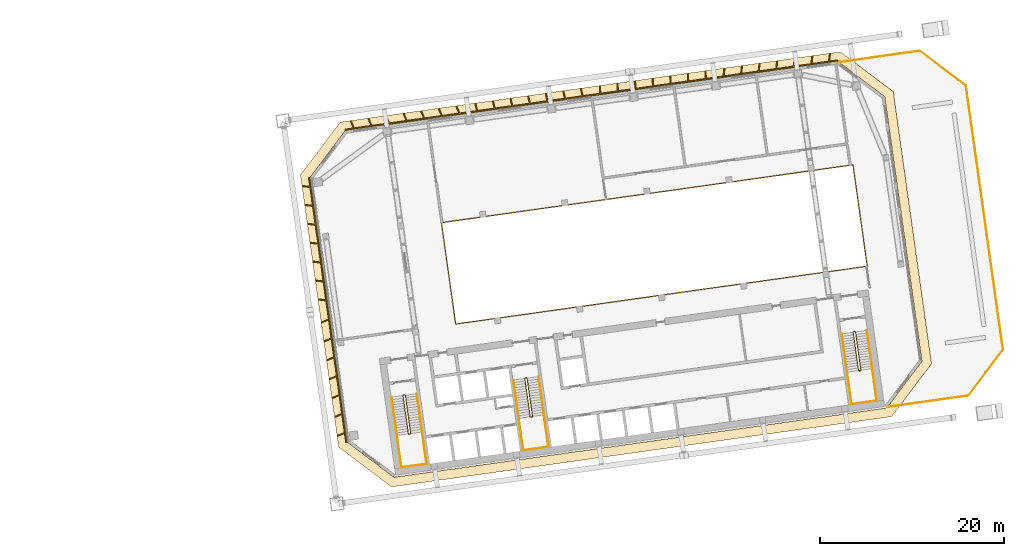
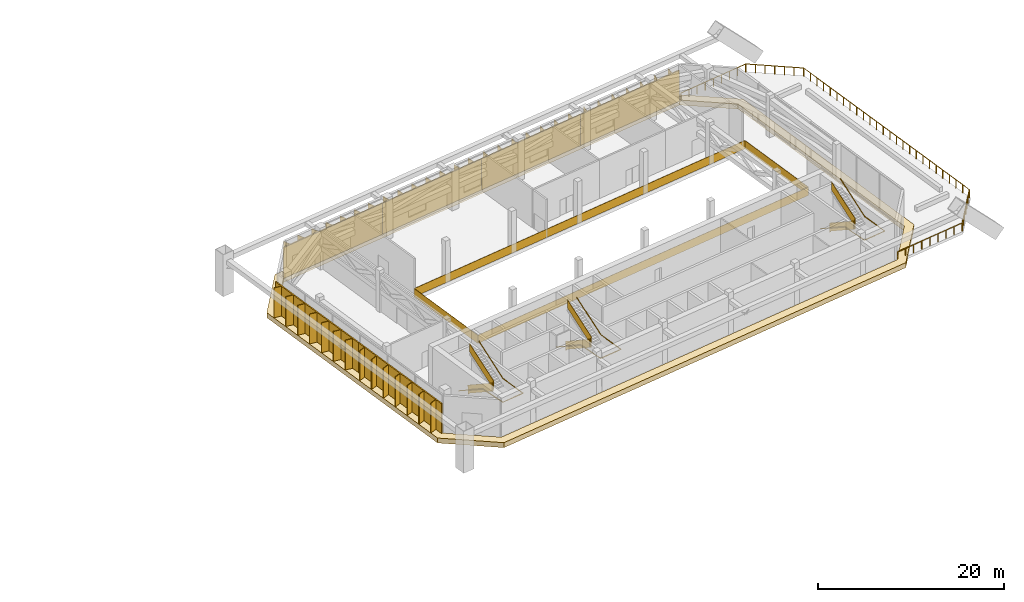
# One storey, part 41 of 41: 8 railings, 6 shading devices, 1 covering.
"""IFC4 building model written with IfcOpenShell, lengths in metres."""

from ifc_helpers import new_model, si_unit, direction, frame, origin, origin_2d, place, context, subcontext, project, spatial, polyline, rectangle, outline, extrude, material, layer, layer_set, type_object, element, save


model = new_model("IFC4")

# Units and contexts
model_context = context("Model", 3, precision=1e-05, world=origin(), true_north=direction((0.0, 1.0)))
body_context = subcontext(model_context, "Body", "Model", "MODEL_VIEW")
ifc_project = project(units=[si_unit("LENGTHUNIT", "METRE"), si_unit("AREAUNIT", "SQUARE_METRE"), si_unit("VOLUMEUNIT", "CUBIC_METRE"), si_unit("PLANEANGLEUNIT", "RADIAN"), si_unit("MASSUNIT", "GRAM", prefix="KILO")], contexts=[model_context])

# Site, building, storey
site_placement = place(None, origin())
site = spatial("IfcSite", under=ifc_project, at=site_placement, CompositionType="ELEMENT")
building_placement = place(site_placement, origin())
building = spatial("IfcBuilding", under=site, at=building_placement, Name="Mirante Cascada Hotel Towers", CompositionType="ELEMENT")
storey_placement = place(building_placement, frame((0.0, 0.0, 151.9)))
storey = spatial("IfcBuildingStorey", under=building, at=storey_placement, Name="L35", CompositionType="ELEMENT", Elevation=151.9)

# Covering
ifc_material_1 = material(Name="Precast concrete C40/50 white", Category="concrete")
ifc_layer = layer(ifc_material_1, 0.6)
ifc_layer_set = layer_set([ifc_layer], Name="Precast concrete SUNSHADE band 1000x600")
covering_type = type_object("IfcCoveringType", Name="Precast concrete SUNSHADE band 1000x600", PredefinedType="CLADDING", material=ifc_layer_set)
covering_placement = place(storey_placement, frame((0.0, 0.0, -0.5)))
element("IfcCovering", 1, at=covering_placement, inside=storey, type_object=covering_type, Name="Precast concrete SUNSHADE band T2 L35", PredefinedType="CLADDING", context=body_context, shape_type="SweptSolid", body=[
    extrude(outline(polyline([(26.9341, 12.6299), (31.2626, 18.374), (85.5574, 26.0046), (91.3015, 21.6761), (95.4528, -7.862), (91.1243, -13.6061), (36.8295, -21.2367), (31.0854, -16.9082), (26.9341, 12.6299)]), holes=[polyline([(94.4049, -7.591), (90.3689, 21.1268), (85.2864, 24.9567), (31.8119, 17.4414), (27.982, 12.3589), (32.018, -16.3589), (37.1005, -20.1888), (90.575, -12.6735), (94.4049, -7.591)])]), origin(), (0.0, 0.0, 1.0), 0.65),
])

# Railings
ifc_material_2 = material(Name="Toughened glass", Category="glass")
railing_type_1 = type_object("IfcRailingType", Name="Refuge floor atrium guard 1100 glass balustrade", PredefinedType="GUARDRAIL", material=ifc_material_2)
railing_1_placement = place(storey_placement, frame((43.7993, -3.5445, 0.0)))
element("IfcRailing", 2, at=railing_1_placement, inside=storey, type_object=railing_type_1, Name="Atrium guard T2 L35", PredefinedType="GUARDRAIL", context=body_context, shape_type="SweptSolid", body=[
    extrude(rectangle(XDim=0.048, YDim=0.048, at=origin_2d()), frame((0.0, 0.0, 1.076), z_axis=(0.9902681, 0.1391732, 0.0), x_axis=(-0.1391732, 0.9902681, 0.0)), (0.0, 0.0, 1.0), 45.0999),
    extrude(rectangle(XDim=0.02, YDim=1.052, at=origin_2d()), frame((0.0, 0.0, 0.526), z_axis=(0.9902681, 0.1391732, 0.0), x_axis=(-0.1391732, 0.9902681, 0.0)), (0.0, 0.0, 1.0), 45.0999),
    extrude(rectangle(XDim=0.048, YDim=0.048, at=origin_2d()), frame((44.661, 6.2767, 1.076), z_axis=(-0.1391721, 0.9902682, 0.0), x_axis=(-0.9902682, -0.1391721, 0.0)), (0.0, 0.0, 1.0), 11.0999),
    extrude(rectangle(XDim=0.02, YDim=1.052, at=origin_2d()), frame((44.661, 6.2767, 0.526), z_axis=(-0.1391721, 0.9902682, 0.0), x_axis=(-0.9902682, -0.1391721, 0.0)), (0.0, 0.0, 1.0), 11.0999),
    extrude(rectangle(XDim=0.048, YDim=0.048, at=origin_2d()), frame((43.1162, 17.2686, 1.076), z_axis=(-0.9902681, -0.1391729, 0.0), x_axis=(0.1391729, -0.9902681, 0.0)), (0.0, 0.0, 1.0), 45.1),
    extrude(rectangle(XDim=0.02, YDim=1.052, at=origin_2d()), frame((43.1162, 17.2686, 0.526), z_axis=(-0.9902681, -0.1391729, 0.0), x_axis=(0.1391729, -0.9902681, 0.0)), (0.0, 0.0, 1.0), 45.1),
    extrude(rectangle(XDim=0.048, YDim=0.048, at=origin_2d()), frame((-1.5449, 10.9919, 1.076), z_axis=(0.139181, -0.990267, 0.0), x_axis=(0.990267, 0.139181, 0.0)), (0.0, 0.0, 1.0), 11.0999),
    extrude(rectangle(XDim=0.02, YDim=1.052, at=origin_2d()), frame((-1.5449, 10.9919, 0.526), z_axis=(0.139181, -0.990267, 0.0), x_axis=(0.990267, 0.139181, 0.0)), (0.0, 0.0, 1.0), 11.0999),
])
ifc_material_3 = material(Name="Painted steel", Category="steel")
railing_type_2 = type_object("IfcRailingType", Name="Stair guard 1100 steel balustrade", PredefinedType="GUARDRAIL", material=ifc_material_3)
railing_2_placement = place(storey_placement, frame((38.2663, -11.2395, 0.0)))
element("IfcRailing", 3, at=railing_2_placement, inside=storey, type_object=railing_type_2, Name="L35 ST2-A stair guard 1", PredefinedType="GUARDRAIL", context=body_context, shape_type="SweptSolid", body=[
    extrude(rectangle(XDim=0.048, YDim=0.048, at=origin_2d()), frame((0.0, 0.0, 1.076), z_axis=(-0.9903326, -0.1387133, 0.0), x_axis=(0.1387133, -0.9903326, 0.0)), (0.0, 0.0, 1.0), 0.1499),
    extrude(rectangle(XDim=0.02, YDim=1.052, at=origin_2d()), frame((0.0, 0.0, 0.526), z_axis=(-0.9903326, -0.1387133, 0.0), x_axis=(0.1387133, -0.9903326, 0.0)), (0.0, 0.0, 1.0), 0.1499),
    extrude(rectangle(XDim=0.048, YDim=0.048, at=origin_2d()), frame((-0.1485, -0.0208, 1.076), z_axis=(-0.6020331, -0.7984711, 0.0), x_axis=(0.7984711, -0.6020331, 0.0)), (0.0, 0.92472, 0.380648), 0.1859),
    extrude(rectangle(XDim=0.02, YDim=1.052, at=origin_2d()), frame((-0.1485, -0.0208, 0.526), z_axis=(-0.6020331, -0.7984711, 0.0), x_axis=(0.7984711, -0.6020331, 0.0)), (0.0, 0.92472, 0.380648), 0.1859),
    extrude(rectangle(XDim=0.048, YDim=0.048, at=origin_2d()), frame((-0.1911, -0.0773, 1.2479), z_axis=(0.139191, -0.9902656, 0.0), x_axis=(0.9902656, 0.139191, 0.0)), (0.0, 0.5231396, 0.852247), 4.9281),
    extrude(rectangle(XDim=0.02, YDim=1.052, at=origin_2d()), frame((-0.1911, -0.0773, 0.6979), z_axis=(0.139191, -0.9902656, 0.0), x_axis=(0.9902656, 0.139191, 0.0)), (0.0, 0.5231396, 0.852247), 4.9281),
    extrude(rectangle(XDim=0.048, YDim=0.048, at=origin_2d()), frame((0.3935, -4.2364, 3.826), z_axis=(0.9944441, -0.1052656, 0.0), x_axis=(0.1052656, 0.9944441, 0.0)), (0.0, 0.0, 1.0), 0.2061),
    extrude(rectangle(XDim=0.02, YDim=1.052, at=origin_2d()), frame((0.3935, -4.2364, 3.276), z_axis=(0.9944441, -0.1052656, 0.0), x_axis=(0.1052656, 0.9944441, 0.0)), (0.0, 0.0, 1.0), 0.2061),
    extrude(rectangle(XDim=0.048, YDim=0.048, at=origin_2d()), frame((0.5985, -4.2581, 3.826), z_axis=(-0.9902537, -0.1392753, 0.0), x_axis=(0.1392753, -0.9902537, 0.0)), (0.0, 0.0, 1.0), 0.1501),
    extrude(rectangle(XDim=0.02, YDim=1.052, at=origin_2d()), frame((0.5985, -4.2581, 3.276), z_axis=(-0.9902537, -0.1392753, 0.0), x_axis=(0.1392753, -0.9902537, 0.0)), (0.0, 0.0, 1.0), 0.1501),
    extrude(rectangle(XDim=0.048, YDim=0.048, at=origin_2d()), frame((0.4499, -4.279, 3.826), z_axis=(0.9268624, 0.3754011, 0.0), x_axis=(-0.3754011, 0.9268624, 0.0)), (0.0, 0.6403686, 0.7680678), 0.2684),
    extrude(rectangle(XDim=0.02, YDim=1.052, at=origin_2d()), frame((0.4499, -4.279, 3.276), z_axis=(0.9268624, 0.3754011, 0.0), x_axis=(-0.3754011, 0.9268624, 0.0)), (0.0, 0.6403686, 0.7680678), 0.2684),
    extrude(rectangle(XDim=0.048, YDim=0.048, at=origin_2d()), frame((0.641, -4.2016, 3.9979), z_axis=(-0.1391676, 0.9902688, 0.0), x_axis=(-0.9902688, -0.1391676, 0.0)), (0.0, 0.5231408, 0.8522463), 4.9281),
    extrude(rectangle(XDim=0.02, YDim=1.052, at=origin_2d()), frame((0.641, -4.2016, 3.4479), z_axis=(-0.1391676, 0.9902688, 0.0), x_axis=(-0.9902688, -0.1391676, 0.0)), (0.0, 0.5231408, 0.8522463), 4.9281),
])
railing_3_placement = place(storey_placement, frame((51.4864, -9.3815, 0.0)))
element("IfcRailing", 4, at=railing_3_placement, inside=storey, type_object=railing_type_2, Name="L35 ST2-B stair guard 1", PredefinedType="GUARDRAIL", context=body_context, shape_type="SweptSolid", body=[
    extrude(rectangle(XDim=0.048, YDim=0.048, at=origin_2d()), frame((0.0, 0.0, 1.076), z_axis=(-0.9902408, -0.1393672, 0.0), x_axis=(0.1393672, -0.9902408, 0.0)), (0.0, 0.0, 1.0), 0.15),
    extrude(rectangle(XDim=0.02, YDim=1.052, at=origin_2d()), frame((0.0, 0.0, 0.526), z_axis=(-0.9902408, -0.1393672, 0.0), x_axis=(0.1393672, -0.9902408, 0.0)), (0.0, 0.0, 1.0), 0.15),
    extrude(rectangle(XDim=0.048, YDim=0.048, at=origin_2d()), frame((-0.1485, -0.0209, 1.076), z_axis=(-0.6020331, -0.7984711, 0.0), x_axis=(0.7984711, -0.6020331, 0.0)), (0.0, 0.92472, 0.380648), 0.1859),
    extrude(rectangle(XDim=0.02, YDim=1.052, at=origin_2d()), frame((-0.1485, -0.0209, 0.526), z_axis=(-0.6020331, -0.7984711, 0.0), x_axis=(0.7984711, -0.6020331, 0.0)), (0.0, 0.92472, 0.380648), 0.1859),
    extrude(rectangle(XDim=0.048, YDim=0.048, at=origin_2d()), frame((-0.1911, -0.0774, 1.2479), z_axis=(0.1391676, -0.9902688, 0.0), x_axis=(0.9902688, 0.1391676, 0.0)), (0.0, 0.5231408, 0.8522463), 4.9281),
    extrude(rectangle(XDim=0.02, YDim=1.052, at=origin_2d()), frame((-0.1911, -0.0774, 0.6979), z_axis=(0.1391676, -0.9902688, 0.0), x_axis=(0.9902688, 0.1391676, 0.0)), (0.0, 0.5231408, 0.8522463), 4.9281),
    extrude(rectangle(XDim=0.048, YDim=0.048, at=origin_2d()), frame((0.3934, -4.2365, 3.826), z_axis=(0.9944495, -0.1052148, 0.0), x_axis=(0.1052148, 0.9944495, 0.0)), (0.0, 0.0, 1.0), 0.2062),
    extrude(rectangle(XDim=0.02, YDim=1.052, at=origin_2d()), frame((0.3934, -4.2365, 3.276), z_axis=(0.9944495, -0.1052148, 0.0), x_axis=(0.1052148, 0.9944495, 0.0)), (0.0, 0.0, 1.0), 0.2062),
    extrude(rectangle(XDim=0.048, YDim=0.048, at=origin_2d()), frame((0.5985, -4.2582, 3.826), z_axis=(-0.9903454, -0.1386217, 0.0), x_axis=(0.1386217, -0.9903454, 0.0)), (0.0, 0.0, 1.0), 0.15),
    extrude(rectangle(XDim=0.02, YDim=1.052, at=origin_2d()), frame((0.5985, -4.2582, 3.276), z_axis=(-0.9903454, -0.1386217, 0.0), x_axis=(0.1386217, -0.9903454, 0.0)), (0.0, 0.0, 1.0), 0.15),
    extrude(rectangle(XDim=0.048, YDim=0.048, at=origin_2d()), frame((0.4499, -4.279, 3.826), z_axis=(0.9270311, 0.3749843, 0.0), x_axis=(-0.3749843, 0.9270311, 0.0)), (0.0, 0.6404373, 0.7680104), 0.2684),
    extrude(rectangle(XDim=0.02, YDim=1.052, at=origin_2d()), frame((0.4499, -4.279, 3.276), z_axis=(0.9270311, 0.3749843, 0.0), x_axis=(-0.3749843, 0.9270311, 0.0)), (0.0, 0.6404373, 0.7680104), 0.2684),
    extrude(rectangle(XDim=0.048, YDim=0.048, at=origin_2d()), frame((0.641, -4.2017, 3.9979), z_axis=(-0.1391676, 0.9902688, 0.0), x_axis=(-0.9902688, -0.1391676, 0.0)), (0.0, 0.5231408, 0.8522463), 4.9281),
    extrude(rectangle(XDim=0.02, YDim=1.052, at=origin_2d()), frame((0.641, -4.2017, 3.4479), z_axis=(-0.1391676, 0.9902688, 0.0), x_axis=(-0.9902688, -0.1391676, 0.0)), (0.0, 0.5231408, 0.8522463), 4.9281),
])
railing_4_placement = place(storey_placement, frame((87.1361, -4.3713, 0.0)))
element("IfcRailing", 5, at=railing_4_placement, inside=storey, type_object=railing_type_2, Name="L35 ST2-C stair guard 1", PredefinedType="GUARDRAIL", context=body_context, shape_type="SweptSolid", body=[
    extrude(rectangle(XDim=0.048, YDim=0.048, at=origin_2d()), frame((0.0, 0.0, 1.076), z_axis=(-0.9902537, -0.1392753, 0.0), x_axis=(0.1392753, -0.9902537, 0.0)), (0.0, 0.0, 1.0), 0.1501),
    extrude(rectangle(XDim=0.02, YDim=1.052, at=origin_2d()), frame((0.0, 0.0, 0.526), z_axis=(-0.9902537, -0.1392753, 0.0), x_axis=(0.1392753, -0.9902537, 0.0)), (0.0, 0.0, 1.0), 0.1501),
    extrude(rectangle(XDim=0.048, YDim=0.048, at=origin_2d()), frame((-0.1486, -0.0209, 1.076), z_axis=(-0.601811, -0.7986386, 0.0), x_axis=(0.7986386, -0.601811, 0.0)), (0.0, 0.924985, 0.3800036), 0.1858),
    extrude(rectangle(XDim=0.02, YDim=1.052, at=origin_2d()), frame((-0.1486, -0.0209, 0.526), z_axis=(-0.601811, -0.7986386, 0.0), x_axis=(0.7986386, -0.601811, 0.0)), (0.0, 0.924985, 0.3800036), 0.1858),
    extrude(rectangle(XDim=0.048, YDim=0.048, at=origin_2d()), frame((-0.1911, -0.0773, 1.2479), z_axis=(0.1391676, -0.9902688, 0.0), x_axis=(0.9902688, 0.1391676, 0.0)), (0.0, 0.5231408, 0.8522463), 4.9281),
    extrude(rectangle(XDim=0.02, YDim=1.052, at=origin_2d()), frame((-0.1911, -0.0773, 0.6979), z_axis=(0.1391676, -0.9902688, 0.0), x_axis=(0.9902688, 0.1391676, 0.0)), (0.0, 0.5231408, 0.8522463), 4.9281),
    extrude(rectangle(XDim=0.048, YDim=0.048, at=origin_2d()), frame((0.3934, -4.2364, 3.826), z_axis=(0.9944441, -0.1052656, 0.0), x_axis=(0.1052656, 0.9944441, 0.0)), (0.0, 0.0, 1.0), 0.2061),
    extrude(rectangle(XDim=0.02, YDim=1.052, at=origin_2d()), frame((0.3934, -4.2364, 3.276), z_axis=(0.9944441, -0.1052656, 0.0), x_axis=(0.1052656, 0.9944441, 0.0)), (0.0, 0.0, 1.0), 0.2061),
    extrude(rectangle(XDim=0.048, YDim=0.048, at=origin_2d()), frame((0.5984, -4.2581, 3.826), z_axis=(-0.9902408, -0.1393672, 0.0), x_axis=(0.1393672, -0.9902408, 0.0)), (0.0, 0.0, 1.0), 0.15),
    extrude(rectangle(XDim=0.02, YDim=1.052, at=origin_2d()), frame((0.5984, -4.2581, 3.276), z_axis=(-0.9902408, -0.1393672, 0.0), x_axis=(0.1393672, -0.9902408, 0.0)), (0.0, 0.0, 1.0), 0.15),
    extrude(rectangle(XDim=0.048, YDim=0.048, at=origin_2d()), frame((0.4499, -4.279, 3.826), z_axis=(0.9270311, 0.3749843, 0.0), x_axis=(-0.3749843, 0.9270311, 0.0)), (0.0, 0.6404373, 0.7680104), 0.2684),
    extrude(rectangle(XDim=0.02, YDim=1.052, at=origin_2d()), frame((0.4499, -4.279, 3.276), z_axis=(0.9270311, 0.3749843, 0.0), x_axis=(-0.3749843, 0.9270311, 0.0)), (0.0, 0.6404373, 0.7680104), 0.2684),
    extrude(rectangle(XDim=0.048, YDim=0.048, at=origin_2d()), frame((0.641, -4.2017, 3.9979), z_axis=(-0.1391877, 0.990266, 0.0), x_axis=(-0.990266, -0.1391877, 0.0)), (0.0, 0.5231306, 0.8522525), 4.9282),
    extrude(rectangle(XDim=0.02, YDim=1.052, at=origin_2d()), frame((0.641, -4.2017, 3.4479), z_axis=(-0.1391877, 0.990266, 0.0), x_axis=(-0.990266, -0.1391877, 0.0)), (0.0, 0.5231306, 0.8522525), 4.9282),
])
ifc_material_4 = material(Name="Painted steel", Category="steel")
railing_type_3 = type_object("IfcRailingType", Name="Stair handrail 900 steel tube", PredefinedType="HANDRAIL", material=ifc_material_4)
railing_5_placement = place(storey_placement, frame((36.8374, -11.4908, 0.1719)))
element("IfcRailing", 6, at=railing_5_placement, inside=storey, type_object=railing_type_3, Name="L35 ST2-A stair handrail 1", PredefinedType="HANDRAIL", context=body_context, shape_type="SweptSolid", body=[
    extrude(rectangle(XDim=0.048, YDim=0.048, at=origin_2d()), frame((0.0, 0.0, 0.876), z_axis=(0.1391676, -0.9902688, 0.0), x_axis=(0.9902688, 0.1391676, 0.0)), (0.0, 0.5231408, 0.8522463), 4.9281),
    extrude(rectangle(XDim=0.048, YDim=0.048, at=origin_2d()), frame((0.5844, -4.1581, 3.4541), z_axis=(0.139173, -0.9902681, 0.0), x_axis=(0.9902681, 0.139173, 0.0)), (0.0, 0.0490557, 0.998796), 3.5052),
    extrude(rectangle(XDim=0.048, YDim=0.048, at=origin_2d()), frame((1.0716, -7.625, 3.626), z_axis=(0.9902698, 0.1391607, 0.0), x_axis=(-0.1391607, 0.9902698, 0.0)), (0.0, 0.0, 1.0), 2.7501),
    extrude(rectangle(XDim=0.048, YDim=0.048, at=origin_2d()), frame((3.7949, -7.2423, 3.626), z_axis=(-0.139173, 0.9902681, 0.0), x_axis=(-0.9902681, -0.139173, 0.0)), (0.0, 0.0, 1.0), 3.5),
    extrude(rectangle(XDim=0.048, YDim=0.048, at=origin_2d()), frame((3.3079, -3.7772, 3.6255), z_axis=(-0.139191, 0.9902656, 0.0), x_axis=(-0.9902656, -0.139191, 0.0)), (0.0, 0.5231396, 0.852247), 4.9291),
])
railing_6_placement = place(storey_placement, frame((50.0575, -9.6328, 0.1719)))
element("IfcRailing", 7, at=railing_6_placement, inside=storey, type_object=railing_type_3, Name="L35 ST2-B stair handrail 1", PredefinedType="HANDRAIL", context=body_context, shape_type="SweptSolid", body=[
    extrude(rectangle(XDim=0.048, YDim=0.048, at=origin_2d()), frame((0.0, 0.0, 0.876), z_axis=(0.1391676, -0.9902688, 0.0), x_axis=(0.9902688, 0.1391676, 0.0)), (0.0, 0.5231408, 0.8522463), 4.9281),
    extrude(rectangle(XDim=0.048, YDim=0.048, at=origin_2d()), frame((0.5844, -4.1581, 3.4541), z_axis=(0.139169, -0.9902686, 0.0), x_axis=(0.9902686, 0.139169, 0.0)), (0.0, 0.0490543, 0.9987961), 3.5053),
    extrude(rectangle(XDim=0.048, YDim=0.048, at=origin_2d()), frame((1.0716, -7.6251, 3.626), z_axis=(0.9902698, 0.1391607, 0.0), x_axis=(-0.1391607, 0.9902698, 0.0)), (0.0, 0.0, 1.0), 2.7501),
    extrude(rectangle(XDim=0.048, YDim=0.048, at=origin_2d()), frame((3.7949, -7.2424, 3.626), z_axis=(-0.139197, 0.9902647, 0.0), x_axis=(-0.9902647, -0.139197, 0.0)), (0.0, 0.0, 1.0), 3.5001),
    extrude(rectangle(XDim=0.048, YDim=0.048, at=origin_2d()), frame((3.3078, -3.7772, 3.6255), z_axis=(-0.1391676, 0.9902688, 0.0), x_axis=(-0.9902688, -0.1391676, 0.0)), (0.0, 0.5231408, 0.8522463), 4.9291),
])
railing_7_placement = place(storey_placement, frame((85.7071, -4.6226, 0.1719)))
element("IfcRailing", 8, at=railing_7_placement, inside=storey, type_object=railing_type_3, Name="L35 ST2-C stair handrail 1", PredefinedType="HANDRAIL", context=body_context, shape_type="SweptSolid", body=[
    extrude(rectangle(XDim=0.048, YDim=0.048, at=origin_2d()), frame((0.0, 0.0, 0.876), z_axis=(0.139191, -0.9902656, 0.0), x_axis=(0.9902656, 0.139191, 0.0)), (0.0, 0.5231396, 0.852247), 4.9281),
    extrude(rectangle(XDim=0.048, YDim=0.048, at=origin_2d()), frame((0.5845, -4.1581, 3.4541), z_axis=(0.139169, -0.9902686, 0.0), x_axis=(0.9902686, 0.139169, 0.0)), (0.0, 0.0490543, 0.9987961), 3.5053),
    extrude(rectangle(XDim=0.048, YDim=0.048, at=origin_2d()), frame((1.0717, -7.6251, 3.626), z_axis=(0.9902641, 0.1392013, 0.0), x_axis=(-0.1392013, 0.9902641, 0.0)), (0.0, 0.0, 1.0), 2.75),
    extrude(rectangle(XDim=0.048, YDim=0.048, at=origin_2d()), frame((3.7949, -7.2423, 3.626), z_axis=(-0.139173, 0.9902681, 0.0), x_axis=(-0.9902681, -0.139173, 0.0)), (0.0, 0.0, 1.0), 3.5),
    extrude(rectangle(XDim=0.048, YDim=0.048, at=origin_2d()), frame((3.3079, -3.7772, 3.6255), z_axis=(-0.1391676, 0.9902688, 0.0), x_axis=(-0.9902688, -0.1391676, 0.0)), (0.0, 0.5231408, 0.8522463), 4.9291),
])
ifc_material_5 = material(Name="Stainless steel AISI 316", Category="steel")
railing_type_4 = type_object("IfcRailingType", Name="Terrace guard 1100", PredefinedType="GUARDRAIL", material=ifc_material_5)
railing_8_placement = place(storey_placement, frame((85.4273, 24.8755, 0.0)))
element("IfcRailing", 9, at=railing_8_placement, inside=storey, type_object=railing_type_4, Name="GUARD T2 L35 terrace 1", PredefinedType="GUARDRAIL", context=body_context, shape_type="SweptSolid", body=[
    extrude(outline(polyline([(0.025, 0.0104), (0.0104, 0.025), (-0.0104, 0.025), (-0.025, 0.0104), (-0.025, -0.0104), (-0.0104, -0.025), (0.0104, -0.025), (0.025, -0.0104), (0.025, 0.0104)])), frame((0.0, 0.0, 1.075), z_axis=(0.9902672, 0.1391792, 0.0), x_axis=(-0.1391792, 0.9902672, 0.0)), (0.0, 0.0, 1.0), 8.8303),
    extrude(outline(polyline([(0.025, 0.0104), (0.0104, 0.025), (-0.0104, 0.025), (-0.025, 0.0104), (-0.025, -0.0104), (-0.0104, -0.025), (0.0104, -0.025), (0.025, -0.0104), (0.025, 0.0104)])), frame((8.7444, 1.229, 1.075), z_axis=(0.7986319, -0.6018198, 0.0), x_axis=(0.6018198, 0.7986319, 0.0)), (0.0, 0.0, 1.0), 6.2811),
    extrude(outline(polyline([(0.025, 0.0104), (0.0104, 0.025), (-0.0104, 0.025), (-0.025, 0.0104), (-0.025, -0.0104), (-0.0104, -0.025), (0.0104, -0.025), (0.025, -0.0104), (0.025, 0.0104)])), frame((13.7607, -2.5511, 1.075), z_axis=(0.1391736, -0.990268, 0.0), x_axis=(0.990268, 0.1391736, 0.0)), (0.0, 0.0, 1.0), 28.9171),
    extrude(outline(polyline([(0.025, 0.0104), (0.0104, 0.025), (-0.0104, 0.025), (-0.025, 0.0104), (-0.025, -0.0104), (-0.0104, -0.025), (0.0104, -0.025), (0.025, -0.0104), (0.025, 0.0104)])), frame((17.7852, -31.1868, 1.075), z_axis=(-0.6018198, -0.7986319, 0.0), x_axis=(0.7986319, -0.6018198, 0.0)), (0.0, 0.0, 1.0), 6.2811),
    extrude(outline(polyline([(0.025, 0.0104), (0.0104, 0.025), (-0.0104, 0.025), (-0.025, 0.0104), (-0.025, -0.0104), (-0.0104, -0.025), (0.0104, -0.025), (0.025, -0.0104), (0.025, 0.0104)])), frame((14.0051, -36.2031, 1.075), z_axis=(-0.990267, -0.1391807, 0.0), x_axis=(0.1391807, -0.990267, 0.0)), (0.0, 0.0, 1.0), 8.8302),
    extrude(rectangle(XDim=0.05, YDim=0.05, at=origin_2d()), origin(), (0.0, 0.0, 1.0), 1.05),
    extrude(rectangle(XDim=0.05, YDim=0.05, at=origin_2d()), frame((1.093, 0.1536, 0.0)), (0.0, 0.0, 1.0), 1.05),
    extrude(rectangle(XDim=0.05, YDim=0.05, at=origin_2d()), frame((2.1861, 0.3073, 0.0)), (0.0, 0.0, 1.0), 1.05),
    extrude(rectangle(XDim=0.05, YDim=0.05, at=origin_2d()), frame((3.2791, 0.4609, 0.0)), (0.0, 0.0, 1.0), 1.05),
    extrude(rectangle(XDim=0.05, YDim=0.05, at=origin_2d()), frame((4.3722, 0.6145, 0.0)), (0.0, 0.0, 1.0), 1.05),
    extrude(rectangle(XDim=0.05, YDim=0.05, at=origin_2d()), frame((5.4652, 0.7681, 0.0)), (0.0, 0.0, 1.0), 1.05),
    extrude(rectangle(XDim=0.05, YDim=0.05, at=origin_2d()), frame((6.5583, 0.9218, 0.0)), (0.0, 0.0, 1.0), 1.05),
    extrude(rectangle(XDim=0.05, YDim=0.05, at=origin_2d()), frame((7.6513, 1.0754, 0.0)), (0.0, 0.0, 1.0), 1.05),
    extrude(rectangle(XDim=0.05, YDim=0.05, at=origin_2d()), frame((8.7444, 1.229, 0.0)), (0.0, 0.0, 1.0), 1.05),
    extrude(rectangle(XDim=0.05, YDim=0.05, at=origin_2d()), frame((9.5804, 0.599, 0.0)), (0.0, 0.0, 1.0), 1.05),
    extrude(rectangle(XDim=0.05, YDim=0.05, at=origin_2d()), frame((10.4165, -0.031, 0.0)), (0.0, 0.0, 1.0), 1.05),
    extrude(rectangle(XDim=0.05, YDim=0.05, at=origin_2d()), frame((11.2526, -0.661, 0.0)), (0.0, 0.0, 1.0), 1.05),
    extrude(rectangle(XDim=0.05, YDim=0.05, at=origin_2d()), frame((12.0886, -1.2911, 0.0)), (0.0, 0.0, 1.0), 1.05),
    extrude(rectangle(XDim=0.05, YDim=0.05, at=origin_2d()), frame((12.9246, -1.9211, 0.0)), (0.0, 0.0, 1.0), 1.05),
    extrude(rectangle(XDim=0.05, YDim=0.05, at=origin_2d()), frame((13.7607, -2.5511, 0.0)), (0.0, 0.0, 1.0), 1.05),
    extrude(rectangle(XDim=0.05, YDim=0.05, at=origin_2d()), frame((13.9217, -3.6965, 0.0)), (0.0, 0.0, 1.0), 1.05),
    extrude(rectangle(XDim=0.05, YDim=0.05, at=origin_2d()), frame((14.0827, -4.842, 0.0)), (0.0, 0.0, 1.0), 1.05),
    extrude(rectangle(XDim=0.05, YDim=0.05, at=origin_2d()), frame((14.2436, -5.9874, 0.0)), (0.0, 0.0, 1.0), 1.05),
    extrude(rectangle(XDim=0.05, YDim=0.05, at=origin_2d()), frame((14.4046, -7.1328, 0.0)), (0.0, 0.0, 1.0), 1.05),
    extrude(rectangle(XDim=0.05, YDim=0.05, at=origin_2d()), frame((14.5656, -8.2782, 0.0)), (0.0, 0.0, 1.0), 1.05),
    extrude(rectangle(XDim=0.05, YDim=0.05, at=origin_2d()), frame((14.7266, -9.4237, 0.0)), (0.0, 0.0, 1.0), 1.05),
    extrude(rectangle(XDim=0.05, YDim=0.05, at=origin_2d()), frame((14.8876, -10.5691, 0.0)), (0.0, 0.0, 1.0), 1.05),
    extrude(rectangle(XDim=0.05, YDim=0.05, at=origin_2d()), frame((15.0485, -11.7145, 0.0)), (0.0, 0.0, 1.0), 1.05),
    extrude(rectangle(XDim=0.05, YDim=0.05, at=origin_2d()), frame((15.2095, -12.86, 0.0)), (0.0, 0.0, 1.0), 1.05),
    extrude(rectangle(XDim=0.05, YDim=0.05, at=origin_2d()), frame((15.3705, -14.0054, 0.0)), (0.0, 0.0, 1.0), 1.05),
    extrude(rectangle(XDim=0.05, YDim=0.05, at=origin_2d()), frame((15.5315, -15.1508, 0.0)), (0.0, 0.0, 1.0), 1.05),
    extrude(rectangle(XDim=0.05, YDim=0.05, at=origin_2d()), frame((15.6925, -16.2962, 0.0)), (0.0, 0.0, 1.0), 1.05),
    extrude(rectangle(XDim=0.05, YDim=0.05, at=origin_2d()), frame((15.8534, -17.4417, 0.0)), (0.0, 0.0, 1.0), 1.05),
    extrude(rectangle(XDim=0.05, YDim=0.05, at=origin_2d()), frame((16.0144, -18.5871, 0.0)), (0.0, 0.0, 1.0), 1.05),
    extrude(rectangle(XDim=0.05, YDim=0.05, at=origin_2d()), frame((16.1754, -19.7325, 0.0)), (0.0, 0.0, 1.0), 1.05),
    extrude(rectangle(XDim=0.05, YDim=0.05, at=origin_2d()), frame((16.3364, -20.8779, 0.0)), (0.0, 0.0, 1.0), 1.05),
    extrude(rectangle(XDim=0.05, YDim=0.05, at=origin_2d()), frame((16.4974, -22.0234, 0.0)), (0.0, 0.0, 1.0), 1.05),
    extrude(rectangle(XDim=0.05, YDim=0.05, at=origin_2d()), frame((16.6583, -23.1688, 0.0)), (0.0, 0.0, 1.0), 1.05),
    extrude(rectangle(XDim=0.05, YDim=0.05, at=origin_2d()), frame((16.8193, -24.3142, 0.0)), (0.0, 0.0, 1.0), 1.05),
    extrude(rectangle(XDim=0.05, YDim=0.05, at=origin_2d()), frame((16.9803, -25.4597, 0.0)), (0.0, 0.0, 1.0), 1.05),
    extrude(rectangle(XDim=0.05, YDim=0.05, at=origin_2d()), frame((17.1413, -26.6051, 0.0)), (0.0, 0.0, 1.0), 1.05),
    extrude(rectangle(XDim=0.05, YDim=0.05, at=origin_2d()), frame((17.3023, -27.7505, 0.0)), (0.0, 0.0, 1.0), 1.05),
    extrude(rectangle(XDim=0.05, YDim=0.05, at=origin_2d()), frame((17.4632, -28.8959, 0.0)), (0.0, 0.0, 1.0), 1.05),
    extrude(rectangle(XDim=0.05, YDim=0.05, at=origin_2d()), frame((17.6242, -30.0414, 0.0)), (0.0, 0.0, 1.0), 1.05),
    extrude(rectangle(XDim=0.05, YDim=0.05, at=origin_2d()), frame((17.7852, -31.1868, 0.0)), (0.0, 0.0, 1.0), 1.05),
    extrude(rectangle(XDim=0.05, YDim=0.05, at=origin_2d()), frame((17.1552, -32.0228, 0.0)), (0.0, 0.0, 1.0), 1.05),
    extrude(rectangle(XDim=0.05, YDim=0.05, at=origin_2d()), frame((16.5252, -32.8589, 0.0)), (0.0, 0.0, 1.0), 1.05),
    extrude(rectangle(XDim=0.05, YDim=0.05, at=origin_2d()), frame((15.8952, -33.695, 0.0)), (0.0, 0.0, 1.0), 1.05),
    extrude(rectangle(XDim=0.05, YDim=0.05, at=origin_2d()), frame((15.2651, -34.531, 0.0)), (0.0, 0.0, 1.0), 1.05),
    extrude(rectangle(XDim=0.05, YDim=0.05, at=origin_2d()), frame((14.6351, -35.367, 0.0)), (0.0, 0.0, 1.0), 1.05),
    extrude(rectangle(XDim=0.05, YDim=0.05, at=origin_2d()), frame((14.0051, -36.2031, 0.0)), (0.0, 0.0, 1.0), 1.05),
    extrude(rectangle(XDim=0.05, YDim=0.05, at=origin_2d()), frame((12.9121, -36.3567, 0.0)), (0.0, 0.0, 1.0), 1.05),
    extrude(rectangle(XDim=0.05, YDim=0.05, at=origin_2d()), frame((11.819, -36.5104, 0.0)), (0.0, 0.0, 1.0), 1.05),
    extrude(rectangle(XDim=0.05, YDim=0.05, at=origin_2d()), frame((10.726, -36.664, 0.0)), (0.0, 0.0, 1.0), 1.05),
    extrude(rectangle(XDim=0.05, YDim=0.05, at=origin_2d()), frame((9.633, -36.8176, 0.0)), (0.0, 0.0, 1.0), 1.05),
    extrude(rectangle(XDim=0.05, YDim=0.05, at=origin_2d()), frame((8.5399, -36.9712, 0.0)), (0.0, 0.0, 1.0), 1.05),
    extrude(rectangle(XDim=0.05, YDim=0.05, at=origin_2d()), frame((7.4469, -37.1248, 0.0)), (0.0, 0.0, 1.0), 1.05),
    extrude(rectangle(XDim=0.05, YDim=0.05, at=origin_2d()), frame((6.3538, -37.2785, 0.0)), (0.0, 0.0, 1.0), 1.05),
    extrude(rectangle(XDim=0.05, YDim=0.05, at=origin_2d()), frame((5.2608, -37.4321, 0.0)), (0.0, 0.0, 1.0), 1.05),
])

# Shading devices
ifc_material_6 = material(Name="White precast concrete C50/60 fin", Category="concrete")
shading_device_type = type_object("IfcShadingDeviceType", Name="Vertical fin set 4500x900", PredefinedType="USERDEFINED", material=ifc_material_6)
shading_device_1_placement = place(storey_placement, origin())
element("IfcShadingDevice", 10, at=shading_device_1_placement, inside=storey, type_object=shading_device_type, Name="FIN T2 L35 front 1", ObjectType="FIN", PredefinedType="USERDEFINED", context=body_context, shape_type="SweptSolid", body=[
    extrude(outline(polyline([(73.0081, 24.1995), (72.9061, 23.3683), (74.7339, 23.6251), (74.8385, 24.4777), (74.9179, 24.4679), (74.8159, 23.6367), (76.6437, 23.8935), (76.7483, 24.7461), (76.8277, 24.7363), (76.7257, 23.9051), (78.5535, 24.1619), (78.6581, 25.0145), (78.7376, 25.0047), (78.6355, 24.1735), (80.4633, 24.4303), (80.5679, 25.2829), (80.6474, 25.2732), (80.5453, 24.4419), (82.3731, 24.6988), (82.4778, 25.5513), (82.5572, 25.5416), (82.4551, 24.7103), (84.2829, 24.9672), (84.3876, 25.8197), (84.467, 25.81), (84.3649, 24.9787), (85.2655, 25.1053), (85.2864, 24.9567), (71.9178, 23.0779), (71.8969, 23.2264), (72.8241, 23.3567), (72.9287, 24.2093), (73.0081, 24.1995)])), origin(), (0.0, 0.0, 1.0), 4.05),
])
shading_device_2_placement = place(storey_placement, origin())
element("IfcShadingDevice", 11, at=shading_device_2_placement, inside=storey, type_object=shading_device_type, Name="FIN T2 L35 front 2", ObjectType="FIN", PredefinedType="USERDEFINED", context=body_context, shape_type="SweptSolid", body=[
    extrude(outline(polyline([(59.483, 22.3331), (59.5273, 21.488), (61.3576, 21.7452), (61.3129, 22.5974), (61.3928, 22.6015), (61.4371, 21.7564), (63.2674, 22.0136), (63.2227, 22.8658), (63.3026, 22.8699), (63.3469, 22.0248), (65.1772, 22.282), (65.1325, 23.1342), (65.2124, 23.1384), (65.2567, 22.2932), (67.087, 22.5504), (67.0423, 23.4026), (67.1222, 23.4068), (67.1665, 22.5616), (68.9968, 22.8188), (68.9521, 23.671), (69.032, 23.6752), (69.0763, 22.83), (70.9066, 23.0872), (70.8619, 23.9394), (70.9418, 23.9436), (70.9861, 23.0984), (71.8969, 23.2264), (71.9178, 23.0779), (58.5492, 21.199), (58.5283, 21.3476), (59.4478, 21.4768), (59.4031, 22.3289), (59.483, 22.3331)])), origin(), (0.0, 0.0, 1.0), 4.05),
])
shading_device_3_placement = place(storey_placement, origin())
element("IfcShadingDevice", 12, at=shading_device_3_placement, inside=storey, type_object=shading_device_type, Name="FIN T2 L35 front 3", ObjectType="FIN", PredefinedType="USERDEFINED", context=body_context, shape_type="SweptSolid", body=[
    extrude(outline(polyline([(45.958, 20.4394), (46.15, 19.6079), (47.9803, 19.8652), (47.7899, 20.6898), (47.8678, 20.7078), (48.0598, 19.8763), (49.8901, 20.1336), (49.6997, 20.9582), (49.7776, 20.9762), (49.9696, 20.1447), (51.7999, 20.402), (51.6095, 21.2266), (51.6874, 21.2446), (51.8794, 20.4131), (53.7097, 20.6704), (53.5193, 21.495), (53.5973, 21.513), (53.7892, 20.6816), (55.6195, 20.9388), (55.4291, 21.7634), (55.5071, 21.7814), (55.699, 20.95), (57.5293, 21.2072), (57.3389, 22.0318), (57.4169, 22.0498), (57.6088, 21.2184), (58.5283, 21.3476), (58.5492, 21.199), (45.1805, 19.3202), (45.1597, 19.4687), (46.0705, 19.5968), (45.8801, 20.4214), (45.958, 20.4394)])), origin(), (0.0, 0.0, 1.0), 4.05),
])
shading_device_4_placement = place(storey_placement, origin())
element("IfcShadingDevice", 13, at=shading_device_4_placement, inside=storey, type_object=shading_device_type, Name="FIN T2 L35 front 4", ObjectType="FIN", PredefinedType="USERDEFINED", context=body_context, shape_type="SweptSolid", body=[
    extrude(outline(polyline([(32.4381, 18.5187), (32.7737, 17.728), (34.6015, 17.9849), (34.2742, 18.7558), (34.3479, 18.7871), (34.6835, 17.9964), (36.5113, 18.2533), (36.184, 19.0242), (36.2577, 19.0555), (36.5933, 18.2648), (38.4211, 18.5217), (38.0938, 19.2926), (38.1675, 19.3239), (38.5031, 18.5332), (40.3309, 18.7901), (40.0036, 19.561), (40.0773, 19.5923), (40.4129, 18.8016), (42.2407, 19.0585), (41.9134, 19.8295), (41.9871, 19.8607), (42.3227, 19.07), (44.1505, 19.3269), (43.8232, 20.0979), (43.8969, 20.1291), (44.2325, 19.3384), (45.1597, 19.4687), (45.1805, 19.3202), (31.8119, 17.4414), (31.791, 17.5899), (32.6917, 17.7165), (32.3644, 18.4874), (32.4381, 18.5187)])), origin(), (0.0, 0.0, 1.0), 4.05),
])
shading_device_5_placement = place(storey_placement, origin())
element("IfcShadingDevice", 14, at=shading_device_5_placement, inside=storey, type_object=shading_device_type, Name="FIN T2 L35 inner 1", ObjectType="FIN", PredefinedType="USERDEFINED", context=body_context, shape_type="SweptSolid", body=[
    extrude(outline(polyline([(28.8684, -0.8389), (29.6997, -0.941), (29.4229, 1.0283), (28.5704, 1.133), (28.5801, 1.2124), (29.4114, 1.1103), (29.1346, 3.0796), (28.2821, 3.1842), (28.2918, 3.2636), (29.1231, 3.1616), (28.8464, 5.1308), (27.9938, 5.2355), (28.0036, 5.3149), (28.8348, 5.2128), (28.5581, 7.1821), (27.7055, 7.2868), (27.7153, 7.3662), (28.5465, 7.2641), (28.2698, 9.2334), (27.4172, 9.338), (27.427, 9.4174), (28.2583, 9.3154), (27.9815, 11.2846), (27.1289, 11.3893), (27.1387, 11.4687), (27.97, 11.3667), (27.8334, 12.338), (27.982, 12.3589), (30.0, -2.0), (29.8515, -2.0209), (29.7112, -1.023), (28.8587, -0.9183), (28.8684, -0.8389)])), origin(), (0.0, 0.0, 1.0), 4.05),
])
shading_device_6_placement = place(storey_placement, origin())
element("IfcShadingDevice", 15, at=shading_device_6_placement, inside=storey, type_object=shading_device_type, Name="FIN T2 L35 inner 2", ObjectType="FIN", PredefinedType="USERDEFINED", context=body_context, shape_type="SweptSolid", body=[
    extrude(outline(polyline([(30.9308, -15.662), (31.7214, -15.3264), (31.4447, -13.3571), (30.6737, -13.6844), (30.6425, -13.6107), (31.4331, -13.2751), (31.1564, -11.3059), (30.3854, -11.6331), (30.3542, -11.5595), (31.1449, -11.2238), (30.8681, -9.2546), (30.0972, -9.5818), (30.0659, -9.5082), (30.8566, -9.1726), (30.5798, -7.2033), (29.8089, -7.5306), (29.7776, -7.4569), (30.5683, -7.1213), (30.2915, -5.1521), (29.5206, -5.4793), (29.4893, -5.4057), (30.28, -5.07), (30.0032, -3.1008), (29.2323, -3.428), (29.201, -3.3544), (29.9917, -3.0188), (29.8515, -2.0209), (30.0, -2.0), (32.018, -16.3589), (31.8695, -16.3798), (31.733, -15.4084), (30.962, -15.7356), (30.9308, -15.662)])), origin(), (0.0, 0.0, 1.0), 4.05),
])

save(model, "model.ifc")
